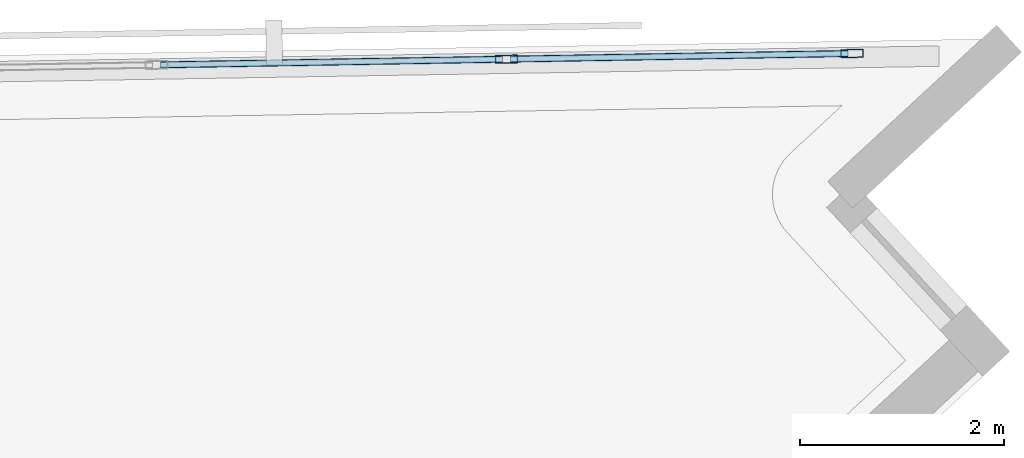
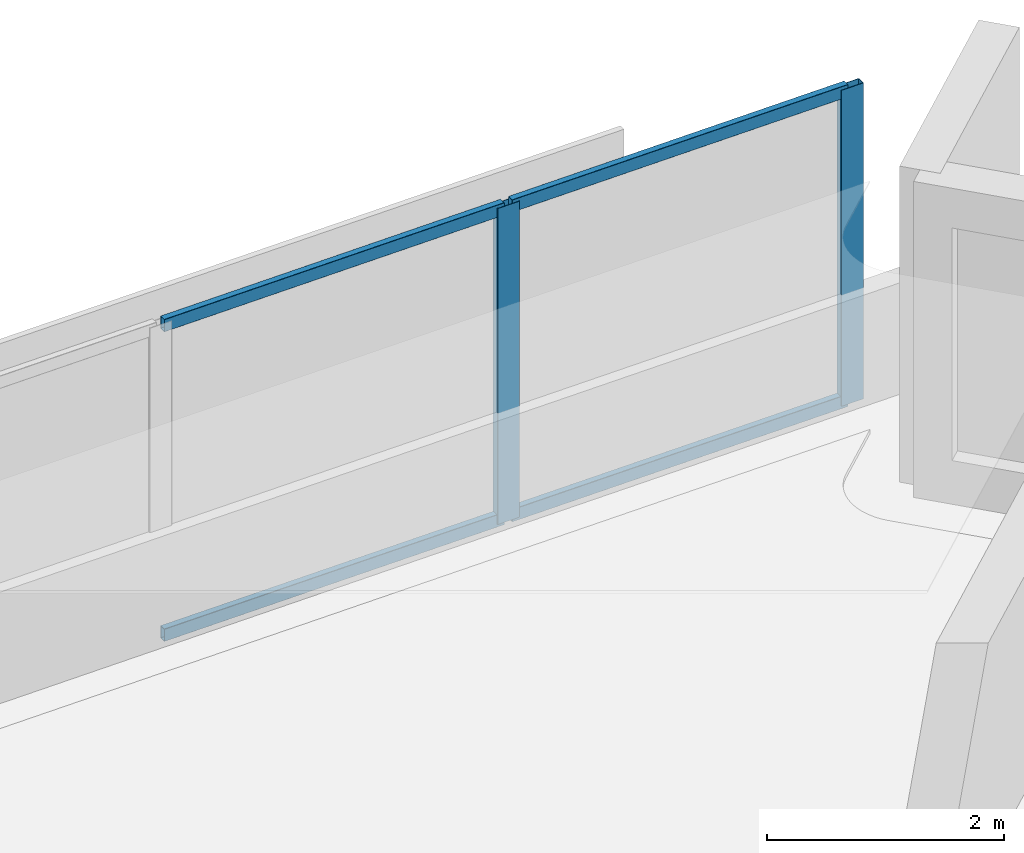
# One storey, part 6 of 13: 6 members, 1 element without a shape of its own.
"""IFC4 building model written with IfcOpenShell, lengths in metres."""

import ifcopenshell
import ifcopenshell.guid

model = None  # the IFC model being written
_history = None  # IfcOwnerHistory: only IFC2X3 demands one
_inside = {}  # id of a spatial element -> (the spatial element, [elements in it])
_under = {}  # id of a project, library or spatial element -> (it, [spatial elements below it])
_declared = {}  # id of a project -> (the project, [libraries it declares])
_typed = {}  # id of a type object -> (the type object, [elements of that type])
_made_of = {}  # id of a material, layer set ... -> (it, [elements and type objects made of it])


def new_model(schema):
    """Start an empty IFC model of exactly this schema.

    Asked for "IFC4X3", IfcOpenShell would pick the latest addendum, in which some entities
    have other attributes; the version numbers below select the first issue.
    IFC2X3 requires an IfcOwnerHistory on every rooted entity: one is made here for all.
    """
    global model, _history
    if schema == "IFC4X3":
        model = ifcopenshell.file(schema_version=(4, 3, 0, 0))
    else:
        model = ifcopenshell.file(schema=schema)
    _inside.clear()
    _under.clear()
    _declared.clear()
    _typed.clear()
    _made_of.clear()
    _history = None
    if model.schema == "IFC2X3":
        org = make("IfcOrganization", Name="unknown")
        user = make(
            "IfcPersonAndOrganization",
            ThePerson=make("IfcPerson", FamilyName="unknown"),
            TheOrganization=org,
        )
        app = make(
            "IfcApplication",
            ApplicationDeveloper=org,
            Version="unknown",
            ApplicationFullName="unknown",
            ApplicationIdentifier="unknown",
        )
        _history = make(
            "IfcOwnerHistory",
            OwningUser=user,
            OwningApplication=app,
            ChangeAction="ADDED",
            CreationDate=0,
        )
    return model


def make(cls, **values):
    """One entity of the class cls with the attributes given. An attribute that is None is left unset."""
    return model.create_entity(
        cls, **{name: value for name, value in values.items() if value is not None}
    )


def rooted(cls, **values):
    """An entity with a GlobalId (a new one), such as an element, a storey or a relation."""
    return make(cls, GlobalId=ifcopenshell.guid.new(), OwnerHistory=_history, **values)


def si_unit(unit_type, name, prefix=None):
    """IfcSIUnit, for example si_unit("LENGTHUNIT", "METRE", prefix="MILLI")."""
    return make("IfcSIUnit", UnitType=unit_type, Prefix=prefix, Name=name)


def assignment(units):
    """IfcUnitAssignment: the units of a project."""
    return None if units is None else make("IfcUnitAssignment", Units=units)


def point(xyz):
    """IfcCartesianPoint."""
    return None if xyz is None else make("IfcCartesianPoint", Coordinates=xyz)


def direction(xyz):
    """IfcDirection."""
    return None if xyz is None else make("IfcDirection", DirectionRatios=xyz)


def frame(location, z_axis=None, x_axis=None):
    """IfcAxis2Placement3D, a coordinate frame: its origin and axes. An axis left out is left unset."""
    return make(
        "IfcAxis2Placement3D",
        Location=point(location),
        Axis=direction(z_axis),
        RefDirection=direction(x_axis),
    )


def frame_2d(location, x_axis=None):
    """IfcAxis2Placement2D, a coordinate frame in the plane: its origin and x axis."""
    return make(
        "IfcAxis2Placement2D", Location=point(location), RefDirection=direction(x_axis)
    )


def origin():
    """The frame at (0, 0, 0) with its axes left unset."""
    return frame((0.0, 0.0, 0.0))


def origin_2d():
    """The frame at (0, 0) in the plane with its x axis left unset."""
    return frame_2d((0.0, 0.0))


def place(relative_to, where):
    """IfcLocalPlacement: puts the frame where relative to a parent placement (None: the world)."""
    return make(
        "IfcLocalPlacement", PlacementRelTo=relative_to, RelativePlacement=where
    )


def context(
    kind, dimensions, precision=None, world=None, true_north=None, identifier=None
):
    """IfcGeometricRepresentationContext, for example the 3D "Model" context."""
    return make(
        "IfcGeometricRepresentationContext",
        ContextIdentifier=identifier,
        ContextType=kind,
        CoordinateSpaceDimension=dimensions,
        Precision=precision,
        WorldCoordinateSystem=world,
        TrueNorth=true_north,
    )


def subcontext(parent, identifier, kind, view, scale=None):
    """IfcGeometricRepresentationSubContext, for example "Body" below "Model"."""
    return make(
        "IfcGeometricRepresentationSubContext",
        ContextIdentifier=identifier,
        ContextType=kind,
        ParentContext=parent,
        TargetScale=scale,
        TargetView=view,
    )


def project(units=None, contexts=None):
    """IfcProject with its units and contexts."""
    return rooted(
        "IfcProject",
        Name="project",
        RepresentationContexts=contexts,
        UnitsInContext=assignment(units),
    )


def spatial(cls, under=None, at=None, **own):
    """A site, building, storey or space (cls), placed at a placement, below another one or the project."""
    s = rooted(cls, ObjectPlacement=at, **own)
    if under is not None:
        _under.setdefault(under.id(), (under, []))[1].append(s)
    return s


def profile(cls, at=None, kind="AREA", **sizes):
    """A parametric profile (cls). Its sizes go by their IFC names, for example OverallWidth=200.0."""
    return make(cls, ProfileType=kind, Position=at, **sizes)


def hollow_rectangle(**sizes):
    """IfcRectangleHollowProfileDef."""
    return profile("IfcRectangleHollowProfileDef", **sizes)


def extrude(swept, where, along, depth):
    """IfcExtrudedAreaSolid: the profile swept, set in the frame where, extruded along a direction by depth."""
    return make(
        "IfcExtrudedAreaSolid",
        SweptArea=swept,
        Position=where,
        ExtrudedDirection=direction(along),
        Depth=depth,
    )


def shape(context_of_items, identifier, shape_type, items):
    """IfcShapeRepresentation: the items that make up one representation, for example the "Body"."""
    return make(
        "IfcShapeRepresentation",
        ContextOfItems=context_of_items,
        RepresentationIdentifier=identifier,
        RepresentationType=shape_type,
        Items=items,
    )


def material(Name=None, Category=None):
    """IfcMaterial."""
    return make("IfcMaterial", Name=Name, Category=Category)


def material_profile(
    of_material, cross_section, Name=None, Category=None, Priority=None
):
    """IfcMaterialProfile: a cross section and its material."""
    return make(
        "IfcMaterialProfile",
        Name=Name,
        Material=of_material,
        Profile=cross_section,
        Priority=Priority,
        Category=Category,
    )


def profile_set(profiles, Name=None, composite=None):
    """IfcMaterialProfileSet."""
    return make(
        "IfcMaterialProfileSet",
        Name=Name,
        MaterialProfiles=profiles,
        CompositeProfile=composite,
    )


def made_of(thing, what):
    """Note that an element or type object is made of a material, layer set ...; save() writes the relation."""
    if what is not None:
        _made_of.setdefault(what.id(), (what, []))[1].append(thing)
    return thing


def type_object(cls, material=None, **own):
    """A type object (cls), such as IfcWallType, which elements share."""
    return made_of(rooted(cls, **own), material)


def element(
    cls,
    number,
    at=None,
    inside=None,
    cuts=None,
    type_object=None,
    material=None,
    context=None,
    identifier="Body",
    shape_type=None,
    held_by="IfcProductDefinitionShape",
    body=None,
    shapes=None,
    **own,
):
    """One element of the class cls, such as IfcWall. Its Tag is "e" and its number.

    at: its placement. inside: the storey or other place that contains it. cuts: it is an
    opening in that element (IfcRelVoidsElement). A single representation is given by context,
    identifier, shape_type and body (its items); several are given by shapes. held_by: the class
    of the entity that holds the representations. save() writes the other relations.
    """
    e = rooted(cls, Tag="e%d" % number, ObjectPlacement=at, **own)
    if body is not None:
        shapes = [shape(context, identifier, shape_type, body)]
    if shapes is not None:
        e.Representation = make(held_by, Representations=shapes)
    if inside is not None:
        _inside.setdefault(inside.id(), (inside, []))[1].append(e)
    if cuts is not None:
        rooted(
            "IfcRelVoidsElement", RelatingBuildingElement=cuts, RelatedOpeningElement=e
        )
    if type_object is not None:
        _typed.setdefault(type_object.id(), (type_object, []))[1].append(e)
    return made_of(e, material)


def aggregate(whole, parts):
    """IfcRelAggregates: a whole, such as a stair, and the parts it consists of."""
    return rooted("IfcRelAggregates", RelatingObject=whole, RelatedObjects=parts)


def save(model, path):
    """Write the relations noted so far, then the file.

    IfcRelAggregates (storeys below a building ...), IfcRelContainedInSpatialStructure (elements
    in a storey), IfcRelDefinesByType, IfcRelAssociatesMaterial and IfcRelDeclares: one each for
    every whole, place, type object, material and project.
    """
    for whole, parts in _under.values():
        aggregate(whole, parts)
    for where, things in _inside.values():
        rooted(
            "IfcRelContainedInSpatialStructure",
            RelatedElements=things,
            RelatingStructure=where,
        )
    for kind, things in _typed.values():
        rooted("IfcRelDefinesByType", RelatedObjects=things, RelatingType=kind)
    for what, things in _made_of.values():
        rooted("IfcRelAssociatesMaterial", RelatedObjects=things, RelatingMaterial=what)
    for by, libraries in _declared.values():
        rooted("IfcRelDeclares", RelatingContext=by, RelatedDefinitions=libraries)
    model.write(path)


model = new_model("IFC4")

# Units and contexts
model_context = context("Model", 3, precision=1e-05, world=origin(), true_north=direction((0.0, 1.0)))
body_context = subcontext(model_context, "Body", "Model", "MODEL_VIEW")
ifc_project = project(units=[si_unit("LENGTHUNIT", "METRE"), si_unit("AREAUNIT", "SQUARE_METRE"), si_unit("VOLUMEUNIT", "CUBIC_METRE"), si_unit("PLANEANGLEUNIT", "RADIAN"), si_unit("MASSUNIT", "GRAM", prefix="KILO")], contexts=[model_context])

# Site, building, storey
site_placement = place(None, origin())
site = spatial("IfcSite", under=ifc_project, at=site_placement, CompositionType="ELEMENT")
building_placement = place(site_placement, origin())
building = spatial("IfcBuilding", under=site, at=building_placement, Name="Narakoshi Arena Tower", CompositionType="ELEMENT")
storey_placement = place(building_placement, frame((0.0, 0.0, 278.340087890625)))
storey = spatial("IfcBuildingStorey", under=building, at=storey_placement, Name="L76", CompositionType="ELEMENT", Elevation=278.340087890625)

# Curtain wall, members
ifc_material = material(Name="Anodised bronze aluminium 6063-T6", Category="aluminium")
curtain_wall_type = type_object("IfcCurtainWallType", Name="CW-HYP-HIGH", PredefinedType="NOTDEFINED", material=ifc_material)
curtain_wall_placement = place(storey_placement, origin())
curtain_wall = element("IfcCurtainWall", 1, at=curtain_wall_placement, inside=storey, type_object=curtain_wall_type, Name="L76 Folded Hypotenuse Curtain Wall 1-1", PredefinedType="NOTDEFINED")
ifc_material_profile_1 = material_profile(ifc_material, hollow_rectangle(XDim=0.080078125, YDim=0.219970703125, WallThickness=0.0048828125, OuterFilletRadius=0.006103515625, at=origin_2d()), Name="MUL220x80x5")
ifc_profile_set_1 = profile_set([ifc_material_profile_1], Name="Anodised bronze aluminium 6063-T6")
member_type_1 = type_object("IfcMemberType", Name="MEM-MUL-220", PredefinedType="MULLION", material=ifc_profile_set_1)
member_1_placement = place(storey_placement, frame((110.4189453125, 64.11767578125, 0.0), z_axis=(0.0, 0.0, 1.0), x_axis=(0.016442997569, -0.999864804777, 0.0)))
member_1 = element("IfcMember", 2, at=member_1_placement, type_object=member_type_1, Name="CW-03 mullion 1", PredefinedType="MULLION", context=body_context, shape_type="SweptSolid", body=[
    extrude(hollow_rectangle(XDim=0.080078125, YDim=0.219970703125, WallThickness=0.0048828125, OuterFilletRadius=0.006103515625, at=origin_2d()), origin(), (0.0, 0.0, 1.0), 3.260009765625),
])
member_2_placement = place(storey_placement, frame((107.031494140625, 64.06201171875, 0.0), z_axis=(0.0, 0.0, 1.0), x_axis=(0.016442997569, -0.999864804777, 0.0)))
member_2 = element("IfcMember", 3, at=member_2_placement, type_object=member_type_1, Name="CW-03 mullion 2", PredefinedType="MULLION", context=body_context, shape_type="SweptSolid", body=[
    extrude(hollow_rectangle(XDim=0.080078125, YDim=0.219970703125, WallThickness=0.0048828125, OuterFilletRadius=0.006103515625, at=origin_2d()), origin(), (0.0, 0.0, 1.0), 3.260009765625),
])
ifc_material_profile_2 = material_profile(ifc_material, hollow_rectangle(XDim=0.06494140625, YDim=0.1298828125, WallThickness=0.00390625, OuterFilletRadius=0.0048828125, at=origin_2d()), Name="TRN130x65x4")
ifc_profile_set_2 = profile_set([ifc_material_profile_2], Name="Anodised bronze aluminium 6063-T6")
member_type_2 = type_object("IfcMemberType", Name="MEM-TRN-130", PredefinedType="USERDEFINED", material=ifc_profile_set_2)
member_3_placement = place(storey_placement, frame((110.37890625, 64.1171875, 0.032470703125), z_axis=(-0.999864541825, -0.016458979318, 0.0), x_axis=(0.016458979318, -0.999864541825, 0.0)))
member_3 = element("IfcMember", 4, at=member_3_placement, type_object=member_type_2, Name="CW-03 transom 1.1", ObjectType="TRANSOM", PredefinedType="USERDEFINED", context=body_context, shape_type="SweptSolid", body=[
    extrude(hollow_rectangle(XDim=0.06494140625, YDim=0.1298828125, WallThickness=0.00390625, OuterFilletRadius=0.0048828125, at=origin_2d()), origin(), (0.0, 0.0, 1.0), 3.307861328125),
])
member_4_placement = place(storey_placement, frame((110.37890625, 64.1171875, 3.227294921875), z_axis=(-0.999864541825, -0.016458979318, 0.0), x_axis=(0.016458979318, -0.999864541825, 0.0)))
member_4 = element("IfcMember", 5, at=member_4_placement, type_object=member_type_2, Name="CW-03 transom 1.2", ObjectType="TRANSOM", PredefinedType="USERDEFINED", context=body_context, shape_type="SweptSolid", body=[
    extrude(hollow_rectangle(XDim=0.06494140625, YDim=0.1298828125, WallThickness=0.00390625, OuterFilletRadius=0.0048828125, at=origin_2d()), origin(), (0.0, 0.0, 1.0), 3.307861328125),
])
member_5_placement = place(storey_placement, frame((106.99169921875, 64.061279296875, 0.032470703125), z_axis=(-0.999865380158, -0.01640797247, 0.0), x_axis=(0.01640797247, -0.999865380158, 0.0)))
member_5 = element("IfcMember", 6, at=member_5_placement, type_object=member_type_2, Name="CW-03 transom 2.1", ObjectType="TRANSOM", PredefinedType="USERDEFINED", context=body_context, shape_type="SweptSolid", body=[
    extrude(hollow_rectangle(XDim=0.06494140625, YDim=0.1298828125, WallThickness=0.00390625, OuterFilletRadius=0.0048828125, at=origin_2d()), origin(), (0.0, 0.0, 1.0), 3.347900390625),
])
member_6_placement = place(storey_placement, frame((106.99169921875, 64.061279296875, 3.227294921875), z_axis=(-0.999865380158, -0.01640797247, 0.0), x_axis=(0.01640797247, -0.999865380158, 0.0)))
member_6 = element("IfcMember", 7, at=member_6_placement, type_object=member_type_2, Name="CW-03 transom 2.2", ObjectType="TRANSOM", PredefinedType="USERDEFINED", context=body_context, shape_type="SweptSolid", body=[
    extrude(hollow_rectangle(XDim=0.06494140625, YDim=0.1298828125, WallThickness=0.00390625, OuterFilletRadius=0.0048828125, at=origin_2d()), origin(), (0.0, 0.0, 1.0), 3.347900390625),
])
aggregate(curtain_wall, [member_1, member_2, member_3, member_4, member_5, member_6])

save(model, "model.ifc")
